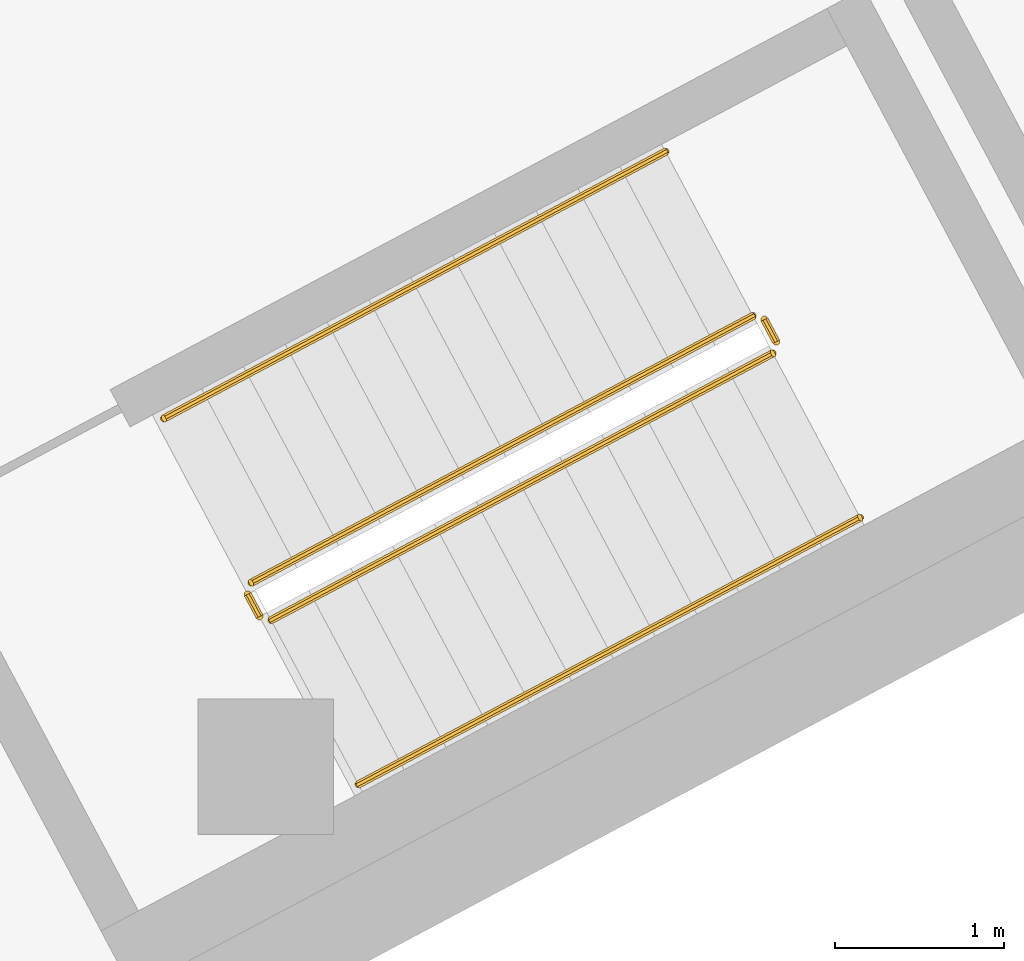
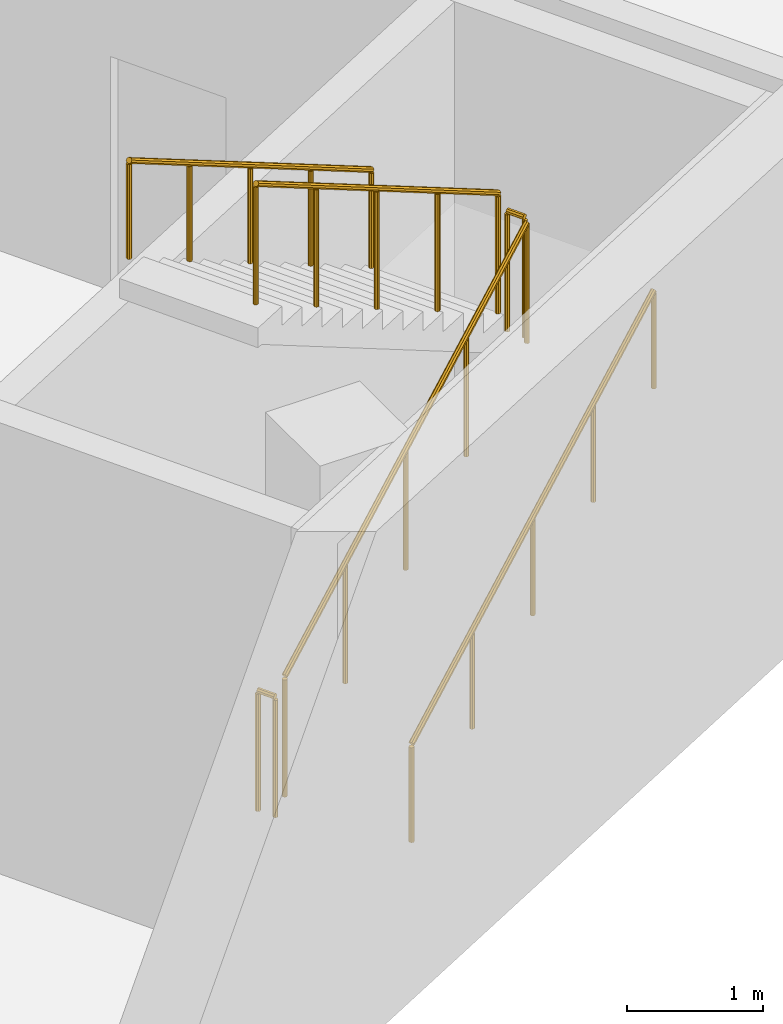
# One storey, part 26 of 27: 6 railings.
"""IFC4 building model written with IfcOpenShell, lengths in metres."""

import ifcopenshell
import ifcopenshell.guid

model = None  # the IFC model being written
_history = None  # IfcOwnerHistory: only IFC2X3 demands one
_inside = {}  # id of a spatial element -> (the spatial element, [elements in it])
_under = {}  # id of a project, library or spatial element -> (it, [spatial elements below it])
_declared = {}  # id of a project -> (the project, [libraries it declares])
_typed = {}  # id of a type object -> (the type object, [elements of that type])
_made_of = {}  # id of a material, layer set ... -> (it, [elements and type objects made of it])


def new_model(schema):
    """Start an empty IFC model of exactly this schema.

    Asked for "IFC4X3", IfcOpenShell would pick the latest addendum, in which some entities
    have other attributes; the version numbers below select the first issue.
    IFC2X3 requires an IfcOwnerHistory on every rooted entity: one is made here for all.
    """
    global model, _history
    if schema == "IFC4X3":
        model = ifcopenshell.file(schema_version=(4, 3, 0, 0))
    else:
        model = ifcopenshell.file(schema=schema)
    _inside.clear()
    _under.clear()
    _declared.clear()
    _typed.clear()
    _made_of.clear()
    _history = None
    if model.schema == "IFC2X3":
        org = make("IfcOrganization", Name="unknown")
        user = make(
            "IfcPersonAndOrganization",
            ThePerson=make("IfcPerson", FamilyName="unknown"),
            TheOrganization=org,
        )
        app = make(
            "IfcApplication",
            ApplicationDeveloper=org,
            Version="unknown",
            ApplicationFullName="unknown",
            ApplicationIdentifier="unknown",
        )
        _history = make(
            "IfcOwnerHistory",
            OwningUser=user,
            OwningApplication=app,
            ChangeAction="ADDED",
            CreationDate=0,
        )
    return model


def make(cls, **values):
    """One entity of the class cls with the attributes given. An attribute that is None is left unset."""
    return model.create_entity(
        cls, **{name: value for name, value in values.items() if value is not None}
    )


def rooted(cls, **values):
    """An entity with a GlobalId (a new one), such as an element, a storey or a relation."""
    return make(cls, GlobalId=ifcopenshell.guid.new(), OwnerHistory=_history, **values)


def si_unit(unit_type, name, prefix=None):
    """IfcSIUnit, for example si_unit("LENGTHUNIT", "METRE", prefix="MILLI")."""
    return make("IfcSIUnit", UnitType=unit_type, Prefix=prefix, Name=name)


def assignment(units):
    """IfcUnitAssignment: the units of a project."""
    return None if units is None else make("IfcUnitAssignment", Units=units)


def point(xyz):
    """IfcCartesianPoint."""
    return None if xyz is None else make("IfcCartesianPoint", Coordinates=xyz)


def direction(xyz):
    """IfcDirection."""
    return None if xyz is None else make("IfcDirection", DirectionRatios=xyz)


def frame(location, z_axis=None, x_axis=None):
    """IfcAxis2Placement3D, a coordinate frame: its origin and axes. An axis left out is left unset."""
    return make(
        "IfcAxis2Placement3D",
        Location=point(location),
        Axis=direction(z_axis),
        RefDirection=direction(x_axis),
    )


def origin():
    """The frame at (0, 0, 0) with its axes left unset."""
    return frame((0.0, 0.0, 0.0))


def place(relative_to, where):
    """IfcLocalPlacement: puts the frame where relative to a parent placement (None: the world)."""
    return make(
        "IfcLocalPlacement", PlacementRelTo=relative_to, RelativePlacement=where
    )


def context(
    kind, dimensions, precision=None, world=None, true_north=None, identifier=None
):
    """IfcGeometricRepresentationContext, for example the 3D "Model" context."""
    return make(
        "IfcGeometricRepresentationContext",
        ContextIdentifier=identifier,
        ContextType=kind,
        CoordinateSpaceDimension=dimensions,
        Precision=precision,
        WorldCoordinateSystem=world,
        TrueNorth=true_north,
    )


def subcontext(parent, identifier, kind, view, scale=None):
    """IfcGeometricRepresentationSubContext, for example "Body" below "Model"."""
    return make(
        "IfcGeometricRepresentationSubContext",
        ContextIdentifier=identifier,
        ContextType=kind,
        ParentContext=parent,
        TargetScale=scale,
        TargetView=view,
    )


def project(units=None, contexts=None):
    """IfcProject with its units and contexts."""
    return rooted(
        "IfcProject",
        Name="project",
        RepresentationContexts=contexts,
        UnitsInContext=assignment(units),
    )


def spatial(cls, under=None, at=None, **own):
    """A site, building, storey or space (cls), placed at a placement, below another one or the project."""
    s = rooted(cls, ObjectPlacement=at, **own)
    if under is not None:
        _under.setdefault(under.id(), (under, []))[1].append(s)
    return s


def polyline(points):
    """IfcPolyline through the points."""
    return make("IfcPolyline", Points=[point(p) for p in points])


def outline(outer, holes=None, kind="AREA"):
    """IfcArbitraryClosedProfileDef: a profile drawn as a closed curve; with holes, ...WithVoids."""
    if holes is None:
        return make("IfcArbitraryClosedProfileDef", ProfileType=kind, OuterCurve=outer)
    return make(
        "IfcArbitraryProfileDefWithVoids",
        ProfileType=kind,
        OuterCurve=outer,
        InnerCurves=holes,
    )


def extrude(swept, where, along, depth):
    """IfcExtrudedAreaSolid: the profile swept, set in the frame where, extruded along a direction by depth."""
    return make(
        "IfcExtrudedAreaSolid",
        SweptArea=swept,
        Position=where,
        ExtrudedDirection=direction(along),
        Depth=depth,
    )


def shape(context_of_items, identifier, shape_type, items):
    """IfcShapeRepresentation: the items that make up one representation, for example the "Body"."""
    return make(
        "IfcShapeRepresentation",
        ContextOfItems=context_of_items,
        RepresentationIdentifier=identifier,
        RepresentationType=shape_type,
        Items=items,
    )


def material(Name=None, Category=None):
    """IfcMaterial."""
    return make("IfcMaterial", Name=Name, Category=Category)


def made_of(thing, what):
    """Note that an element or type object is made of a material, layer set ...; save() writes the relation."""
    if what is not None:
        _made_of.setdefault(what.id(), (what, []))[1].append(thing)
    return thing


def type_object(cls, material=None, **own):
    """A type object (cls), such as IfcWallType, which elements share."""
    return made_of(rooted(cls, **own), material)


def element(
    cls,
    number,
    at=None,
    inside=None,
    cuts=None,
    type_object=None,
    material=None,
    context=None,
    identifier="Body",
    shape_type=None,
    held_by="IfcProductDefinitionShape",
    body=None,
    shapes=None,
    **own,
):
    """One element of the class cls, such as IfcWall. Its Tag is "e" and its number.

    at: its placement. inside: the storey or other place that contains it. cuts: it is an
    opening in that element (IfcRelVoidsElement). A single representation is given by context,
    identifier, shape_type and body (its items); several are given by shapes. held_by: the class
    of the entity that holds the representations. save() writes the other relations.
    """
    e = rooted(cls, Tag="e%d" % number, ObjectPlacement=at, **own)
    if body is not None:
        shapes = [shape(context, identifier, shape_type, body)]
    if shapes is not None:
        e.Representation = make(held_by, Representations=shapes)
    if inside is not None:
        _inside.setdefault(inside.id(), (inside, []))[1].append(e)
    if cuts is not None:
        rooted(
            "IfcRelVoidsElement", RelatingBuildingElement=cuts, RelatedOpeningElement=e
        )
    if type_object is not None:
        _typed.setdefault(type_object.id(), (type_object, []))[1].append(e)
    return made_of(e, material)


def aggregate(whole, parts):
    """IfcRelAggregates: a whole, such as a stair, and the parts it consists of."""
    return rooted("IfcRelAggregates", RelatingObject=whole, RelatedObjects=parts)


def save(model, path):
    """Write the relations noted so far, then the file.

    IfcRelAggregates (storeys below a building ...), IfcRelContainedInSpatialStructure (elements
    in a storey), IfcRelDefinesByType, IfcRelAssociatesMaterial and IfcRelDeclares: one each for
    every whole, place, type object, material and project.
    """
    for whole, parts in _under.values():
        aggregate(whole, parts)
    for where, things in _inside.values():
        rooted(
            "IfcRelContainedInSpatialStructure",
            RelatedElements=things,
            RelatingStructure=where,
        )
    for kind, things in _typed.values():
        rooted("IfcRelDefinesByType", RelatedObjects=things, RelatingType=kind)
    for what, things in _made_of.values():
        rooted("IfcRelAssociatesMaterial", RelatedObjects=things, RelatingMaterial=what)
    for by, libraries in _declared.values():
        rooted("IfcRelDeclares", RelatingContext=by, RelatedDefinitions=libraries)
    model.write(path)


model = new_model("IFC4")

# Units and contexts
model_context = context("Model", 3, precision=1e-05, world=origin(), true_north=direction((0.0, 1.0)))
body_context = subcontext(model_context, "Body", "Model", "MODEL_VIEW")
ifc_project = project(units=[si_unit("LENGTHUNIT", "METRE"), si_unit("AREAUNIT", "SQUARE_METRE"), si_unit("VOLUMEUNIT", "CUBIC_METRE"), si_unit("PLANEANGLEUNIT", "RADIAN"), si_unit("MASSUNIT", "GRAM", prefix="KILO")], contexts=[model_context])

# Site, building, storey
site_placement = place(None, origin())
site = spatial("IfcSite", under=ifc_project, at=site_placement, CompositionType="ELEMENT")
building_placement = place(site_placement, origin())
building = spatial("IfcBuilding", under=site, at=building_placement, Name="Cormorant Relay Tower", CompositionType="ELEMENT")
storey_placement = place(building_placement, frame((0.0, 0.0, -4.5)))
storey = spatial("IfcBuildingStorey", under=building, at=storey_placement, Name="B1", CompositionType="ELEMENT", Elevation=-4.5)

# Railings
ifc_material_1 = material(Name="Steel ASTM A572 Grade 50 (Fy 345 MPa)", Category="steel")
railing_type_1 = type_object("IfcRailingType", Name="Podium stair guard 1100", PredefinedType="GUARDRAIL", material=ifc_material_1)
railing_1_placement = place(storey_placement, frame((70.831787109375, 2.04248046875, 0.173095703125)))
element("IfcRailing", 1, at=railing_1_placement, inside=storey, type_object=railing_type_1, Name="B1 X1 stair guard 1", PredefinedType="GUARDRAIL", context=body_context, shape_type="SweptSolid", body=[
    extrude(outline(polyline([(0.022216796875, 0.00927734375), (0.00927734375, 0.022216796875), (-0.00927734375, 0.022216796875), (-0.022216796875, 0.00927734375), (-0.022216796875, -0.00927734375), (-0.00927734375, -0.022216796875), (0.00927734375, -0.022216796875), (0.022216796875, -0.00927734375), (0.022216796875, 0.00927734375)])), frame((0.0, 0.0, 1.076171875), z_axis=(0.751043225181, 0.399377988901, 0.525767340077), x_axis=(-0.469509342547, 0.882927503967, 0.0)), (0.0, 0.0, 1.0), 3.9501953125),
    extrude(outline(polyline([(0.019287109375, 0.008056640625), (0.008056640625, 0.019287109375), (-0.008056640625, 0.019287109375), (-0.019287109375, 0.008056640625), (-0.019287109375, -0.008056640625), (-0.008056640625, -0.019287109375), (0.008056640625, -0.019287109375), (0.019287109375, -0.008056640625), (0.019287109375, 0.008056640625)])), origin(), (0.0, 0.0, 1.0), 1.052001953125),
    extrude(outline(polyline([(0.019287109375, 0.008056640625), (0.008056640625, 0.019287109375), (-0.008056640625, 0.019287109375), (-0.019287109375, 0.008056640625), (-0.019287109375, -0.008056640625), (-0.008056640625, -0.019287109375), (0.008056640625, -0.019287109375), (0.019287109375, -0.008056640625), (0.019287109375, 0.008056640625)])), frame((0.74169921875, 0.39453125, 0.519287109375)), (0.0, 0.0, 1.0), 1.052001953125),
    extrude(outline(polyline([(0.019287109375, 0.008056640625), (0.008056640625, 0.019287109375), (-0.008056640625, 0.019287109375), (-0.019287109375, 0.008056640625), (-0.019287109375, -0.008056640625), (-0.008056640625, -0.019287109375), (0.008056640625, -0.019287109375), (0.019287109375, -0.008056640625), (0.019287109375, 0.008056640625)])), frame((1.4833984375, 0.788818359375, 1.03857421875)), (0.0, 0.0, 1.0), 1.052001953125),
    extrude(outline(polyline([(0.019287109375, 0.008056640625), (0.008056640625, 0.019287109375), (-0.008056640625, 0.019287109375), (-0.019287109375, 0.008056640625), (-0.019287109375, -0.008056640625), (-0.008056640625, -0.019287109375), (0.008056640625, -0.019287109375), (0.019287109375, -0.008056640625), (0.019287109375, 0.008056640625)])), frame((2.22509765625, 1.18310546875, 1.5576171875)), (0.0, 0.0, 1.0), 1.052001953125),
    extrude(outline(polyline([(0.019287109375, 0.008056640625), (0.008056640625, 0.019287109375), (-0.008056640625, 0.019287109375), (-0.019287109375, 0.008056640625), (-0.019287109375, -0.008056640625), (-0.008056640625, -0.019287109375), (0.008056640625, -0.019287109375), (0.019287109375, -0.008056640625), (0.019287109375, 0.008056640625)])), frame((2.966796875, 1.57763671875, 2.076904296875)), (0.0, 0.0, 1.0), 1.052001953125),
])
railing_2_placement = place(storey_placement, frame((73.819091796875, 3.687744140625, 2.25)))
element("IfcRailing", 2, at=railing_2_placement, inside=storey, type_object=railing_type_1, Name="B1 X1 stair guard 2", PredefinedType="GUARDRAIL", context=body_context, shape_type="SweptSolid", body=[
    extrude(outline(polyline([(0.022216796875, 0.00927734375), (0.00927734375, 0.022216796875), (-0.00927734375, 0.022216796875), (-0.022216796875, 0.00927734375), (-0.022216796875, -0.00927734375), (-0.00927734375, -0.022216796875), (0.00927734375, -0.022216796875), (0.022216796875, -0.00927734375), (0.022216796875, 0.00927734375)])), frame((0.0, 0.0, 1.076171875), z_axis=(-0.469234640946, 0.883073525669, 0.0), x_axis=(-0.883073525669, -0.469234640946, 0.0)), (0.0, 0.0, 1.0), 0.14990234375),
    extrude(outline(polyline([(0.019287109375, 0.008056640625), (0.008056640625, 0.019287109375), (-0.008056640625, 0.019287109375), (-0.019287109375, 0.008056640625), (-0.019287109375, -0.008056640625), (-0.008056640625, -0.019287109375), (0.008056640625, -0.019287109375), (0.019287109375, -0.008056640625), (0.019287109375, 0.008056640625)])), origin(), (0.0, 0.0, 1.0), 1.052001953125),
    extrude(outline(polyline([(0.019287109375, 0.008056640625), (0.008056640625, 0.019287109375), (-0.008056640625, 0.019287109375), (-0.019287109375, 0.008056640625), (-0.019287109375, -0.008056640625), (-0.008056640625, -0.019287109375), (0.008056640625, -0.019287109375), (0.019287109375, -0.008056640625), (0.019287109375, 0.008056640625)])), frame((-0.0703125, 0.13232421875, 0.0)), (0.0, 0.0, 1.0), 1.052001953125),
])
railing_3_placement = place(storey_placement, frame((73.68115234375, 3.8408203125, 2.423095703125)))
element("IfcRailing", 3, at=railing_3_placement, inside=storey, type_object=railing_type_1, Name="B1 X1 stair guard 3", PredefinedType="GUARDRAIL", context=body_context, shape_type="SweptSolid", body=[
    extrude(outline(polyline([(0.022216796875, 0.00927734375), (0.00927734375, 0.022216796875), (-0.00927734375, 0.022216796875), (-0.022216796875, 0.00927734375), (-0.022216796875, -0.00927734375), (-0.00927734375, -0.022216796875), (0.00927734375, -0.022216796875), (0.022216796875, -0.00927734375), (0.022216796875, 0.00927734375)])), frame((0.0, 0.0, 1.076171875), z_axis=(-0.751061762576, -0.399326040817, 0.525780317169), x_axis=(0.46945269911, -0.882957622595, 0.0)), (0.0, 0.0, 1.0), 3.9501953125),
    extrude(outline(polyline([(0.019287109375, 0.008056640625), (0.008056640625, 0.019287109375), (-0.008056640625, 0.019287109375), (-0.019287109375, 0.008056640625), (-0.019287109375, -0.008056640625), (-0.008056640625, -0.019287109375), (0.008056640625, -0.019287109375), (0.019287109375, -0.008056640625), (0.019287109375, 0.008056640625)])), origin(), (0.0, 0.0, 1.0), 1.052001953125),
    extrude(outline(polyline([(0.019287109375, 0.008056640625), (0.008056640625, 0.019287109375), (-0.008056640625, 0.019287109375), (-0.019287109375, 0.008056640625), (-0.019287109375, -0.008056640625), (-0.008056640625, -0.019287109375), (0.008056640625, -0.019287109375), (0.019287109375, -0.008056640625), (0.019287109375, 0.008056640625)])), frame((-0.74169921875, -0.394287109375, 0.519287109375)), (0.0, 0.0, 1.0), 1.052001953125),
    extrude(outline(polyline([(0.019287109375, 0.008056640625), (0.008056640625, 0.019287109375), (-0.008056640625, 0.019287109375), (-0.019287109375, 0.008056640625), (-0.019287109375, -0.008056640625), (-0.008056640625, -0.019287109375), (0.008056640625, -0.019287109375), (0.019287109375, -0.008056640625), (0.019287109375, 0.008056640625)])), frame((-1.4833984375, -0.78857421875, 1.03857421875)), (0.0, 0.0, 1.0), 1.052001953125),
    extrude(outline(polyline([(0.019287109375, 0.008056640625), (0.008056640625, 0.019287109375), (-0.008056640625, 0.019287109375), (-0.019287109375, 0.008056640625), (-0.019287109375, -0.008056640625), (-0.008056640625, -0.019287109375), (0.008056640625, -0.019287109375), (0.019287109375, -0.008056640625), (0.019287109375, 0.008056640625)])), frame((-2.22509765625, -1.18310546875, 1.5576171875)), (0.0, 0.0, 1.0), 1.052001953125),
    extrude(outline(polyline([(0.019287109375, 0.008056640625), (0.008056640625, 0.019287109375), (-0.008056640625, 0.019287109375), (-0.019287109375, 0.008056640625), (-0.019287109375, -0.008056640625), (-0.008056640625, -0.019287109375), (0.008056640625, -0.019287109375), (0.019287109375, -0.008056640625), (0.019287109375, 0.008056640625)])), frame((-2.966796875, -1.577392578125, 2.076904296875)), (0.0, 0.0, 1.0), 1.052001953125),
])
railing_4_placement = place(storey_placement, frame((70.76416015625, 2.063232421875, 0.0)))
element("IfcRailing", 4, at=railing_4_placement, inside=storey, type_object=railing_type_1, Name="B1 X1 stair guard 4", PredefinedType="GUARDRAIL", context=body_context, shape_type="SweptSolid", body=[
    extrude(outline(polyline([(0.022216796875, 0.00927734375), (0.00927734375, 0.022216796875), (-0.00927734375, 0.022216796875), (-0.022216796875, 0.00927734375), (-0.022216796875, -0.00927734375), (-0.00927734375, -0.022216796875), (0.00927734375, -0.022216796875), (0.022216796875, -0.00927734375), (0.022216796875, 0.00927734375)])), frame((0.0, 0.0, 1.076171875), z_axis=(-0.469828648786, 0.882757634224, 0.0), x_axis=(-0.882757634224, -0.469828648786, 0.0)), (0.0, 0.0, 1.0), 0.150146484375),
    extrude(outline(polyline([(0.019287109375, 0.008056640625), (0.008056640625, 0.019287109375), (-0.008056640625, 0.019287109375), (-0.019287109375, 0.008056640625), (-0.019287109375, -0.008056640625), (-0.008056640625, -0.019287109375), (0.008056640625, -0.019287109375), (0.019287109375, -0.008056640625), (0.019287109375, 0.008056640625)])), origin(), (0.0, 0.0, 1.0), 1.052001953125),
    extrude(outline(polyline([(0.019287109375, 0.008056640625), (0.008056640625, 0.019287109375), (-0.008056640625, 0.019287109375), (-0.019287109375, 0.008056640625), (-0.019287109375, -0.008056640625), (-0.008056640625, -0.019287109375), (0.008056640625, -0.019287109375), (0.019287109375, -0.008056640625), (0.019287109375, 0.008056640625)])), frame((-0.070556640625, 0.132568359375, 0.0)), (0.0, 0.0, 1.0), 1.052001953125),
])
ifc_material_2 = material(Name="Stainless steel 316", Category="steel")
railing_type_2 = type_object("IfcRailingType", Name="Podium stair handrail 900", PredefinedType="HANDRAIL", material=ifc_material_2)
railing_5_placement = place(storey_placement, frame((71.34814453125, 1.0712890625, 0.173095703125)))
element("IfcRailing", 5, at=railing_5_placement, inside=storey, type_object=railing_type_2, Name="B1 X1 stair handrail 1", PredefinedType="HANDRAIL", context=body_context, shape_type="SweptSolid", body=[
    extrude(outline(polyline([(0.022216796875, 0.00927734375), (0.00927734375, 0.022216796875), (-0.00927734375, 0.022216796875), (-0.022216796875, 0.00927734375), (-0.022216796875, -0.00927734375), (-0.00927734375, -0.022216796875), (0.00927734375, -0.022216796875), (0.022216796875, -0.00927734375), (0.022216796875, 0.00927734375)])), frame((0.0, 0.0, 0.8759765625), z_axis=(0.751061762576, 0.399326040817, 0.525780317169), x_axis=(-0.46945269911, 0.882957622595, 0.0)), (0.0, 0.0, 1.0), 3.9501953125),
    extrude(outline(polyline([(0.019287109375, 0.008056640625), (0.008056640625, 0.019287109375), (-0.008056640625, 0.019287109375), (-0.019287109375, 0.008056640625), (-0.019287109375, -0.008056640625), (-0.008056640625, -0.019287109375), (0.008056640625, -0.019287109375), (0.019287109375, -0.008056640625), (0.019287109375, 0.008056640625)])), origin(), (0.0, 0.0, 1.0), 0.851806640625),
    extrude(outline(polyline([(0.019287109375, 0.008056640625), (0.008056640625, 0.019287109375), (-0.008056640625, 0.019287109375), (-0.019287109375, 0.008056640625), (-0.019287109375, -0.008056640625), (-0.008056640625, -0.019287109375), (0.008056640625, -0.019287109375), (0.019287109375, -0.008056640625), (0.019287109375, 0.008056640625)])), frame((0.74169921875, 0.394287109375, 0.519287109375)), (0.0, 0.0, 1.0), 0.851806640625),
    extrude(outline(polyline([(0.019287109375, 0.008056640625), (0.008056640625, 0.019287109375), (-0.008056640625, 0.019287109375), (-0.019287109375, 0.008056640625), (-0.019287109375, -0.008056640625), (-0.008056640625, -0.019287109375), (0.008056640625, -0.019287109375), (0.019287109375, -0.008056640625), (0.019287109375, 0.008056640625)])), frame((1.4833984375, 0.78857421875, 1.03857421875)), (0.0, 0.0, 1.0), 0.851806640625),
    extrude(outline(polyline([(0.019287109375, 0.008056640625), (0.008056640625, 0.019287109375), (-0.008056640625, 0.019287109375), (-0.019287109375, 0.008056640625), (-0.019287109375, -0.008056640625), (-0.008056640625, -0.019287109375), (0.008056640625, -0.019287109375), (0.019287109375, -0.008056640625), (0.019287109375, 0.008056640625)])), frame((2.22509765625, 1.18310546875, 1.5576171875)), (0.0, 0.0, 1.0), 0.851806640625),
    extrude(outline(polyline([(0.019287109375, 0.008056640625), (0.008056640625, 0.019287109375), (-0.008056640625, 0.019287109375), (-0.019287109375, 0.008056640625), (-0.019287109375, -0.008056640625), (-0.008056640625, -0.019287109375), (0.008056640625, -0.019287109375), (0.019287109375, -0.008056640625), (0.019287109375, 0.008056640625)])), frame((2.966796875, 1.577392578125, 2.076904296875)), (0.0, 0.0, 1.0), 0.851806640625),
])
railing_6_placement = place(storey_placement, frame((73.164794921875, 4.81201171875, 2.423095703125)))
element("IfcRailing", 6, at=railing_6_placement, inside=storey, type_object=railing_type_2, Name="B1 X1 stair handrail 2", PredefinedType="HANDRAIL", context=body_context, shape_type="SweptSolid", body=[
    extrude(outline(polyline([(0.022216796875, 0.00927734375), (0.00927734375, 0.022216796875), (-0.00927734375, 0.022216796875), (-0.022216796875, 0.00927734375), (-0.022216796875, -0.00927734375), (-0.00927734375, -0.022216796875), (0.00927734375, -0.022216796875), (0.022216796875, -0.00927734375), (0.022216796875, 0.00927734375)])), frame((0.0, 0.0, 0.8759765625), z_axis=(-0.751061762576, -0.399326040817, 0.525780317169), x_axis=(0.46945269911, -0.882957622595, 0.0)), (0.0, 0.0, 1.0), 3.9501953125),
    extrude(outline(polyline([(0.019287109375, 0.008056640625), (0.008056640625, 0.019287109375), (-0.008056640625, 0.019287109375), (-0.019287109375, 0.008056640625), (-0.019287109375, -0.008056640625), (-0.008056640625, -0.019287109375), (0.008056640625, -0.019287109375), (0.019287109375, -0.008056640625), (0.019287109375, 0.008056640625)])), origin(), (0.0, 0.0, 1.0), 0.851806640625),
    extrude(outline(polyline([(0.019287109375, 0.008056640625), (0.008056640625, 0.019287109375), (-0.008056640625, 0.019287109375), (-0.019287109375, 0.008056640625), (-0.019287109375, -0.008056640625), (-0.008056640625, -0.019287109375), (0.008056640625, -0.019287109375), (0.019287109375, -0.008056640625), (0.019287109375, 0.008056640625)])), frame((-0.74169921875, -0.394287109375, 0.519287109375)), (0.0, 0.0, 1.0), 0.851806640625),
    extrude(outline(polyline([(0.019287109375, 0.008056640625), (0.008056640625, 0.019287109375), (-0.008056640625, 0.019287109375), (-0.019287109375, 0.008056640625), (-0.019287109375, -0.008056640625), (-0.008056640625, -0.019287109375), (0.008056640625, -0.019287109375), (0.019287109375, -0.008056640625), (0.019287109375, 0.008056640625)])), frame((-1.4833984375, -0.78857421875, 1.03857421875)), (0.0, 0.0, 1.0), 0.851806640625),
    extrude(outline(polyline([(0.019287109375, 0.008056640625), (0.008056640625, 0.019287109375), (-0.008056640625, 0.019287109375), (-0.019287109375, 0.008056640625), (-0.019287109375, -0.008056640625), (-0.008056640625, -0.019287109375), (0.008056640625, -0.019287109375), (0.019287109375, -0.008056640625), (0.019287109375, 0.008056640625)])), frame((-2.22509765625, -1.18310546875, 1.5576171875)), (0.0, 0.0, 1.0), 0.851806640625),
    extrude(outline(polyline([(0.019287109375, 0.008056640625), (0.008056640625, 0.019287109375), (-0.008056640625, 0.019287109375), (-0.019287109375, 0.008056640625), (-0.019287109375, -0.008056640625), (-0.008056640625, -0.019287109375), (0.008056640625, -0.019287109375), (0.019287109375, -0.008056640625), (0.019287109375, 0.008056640625)])), frame((-2.966796875, -1.577392578125, 2.076904296875)), (0.0, 0.0, 1.0), 0.851806640625),
])

save(model, "model.ifc")
